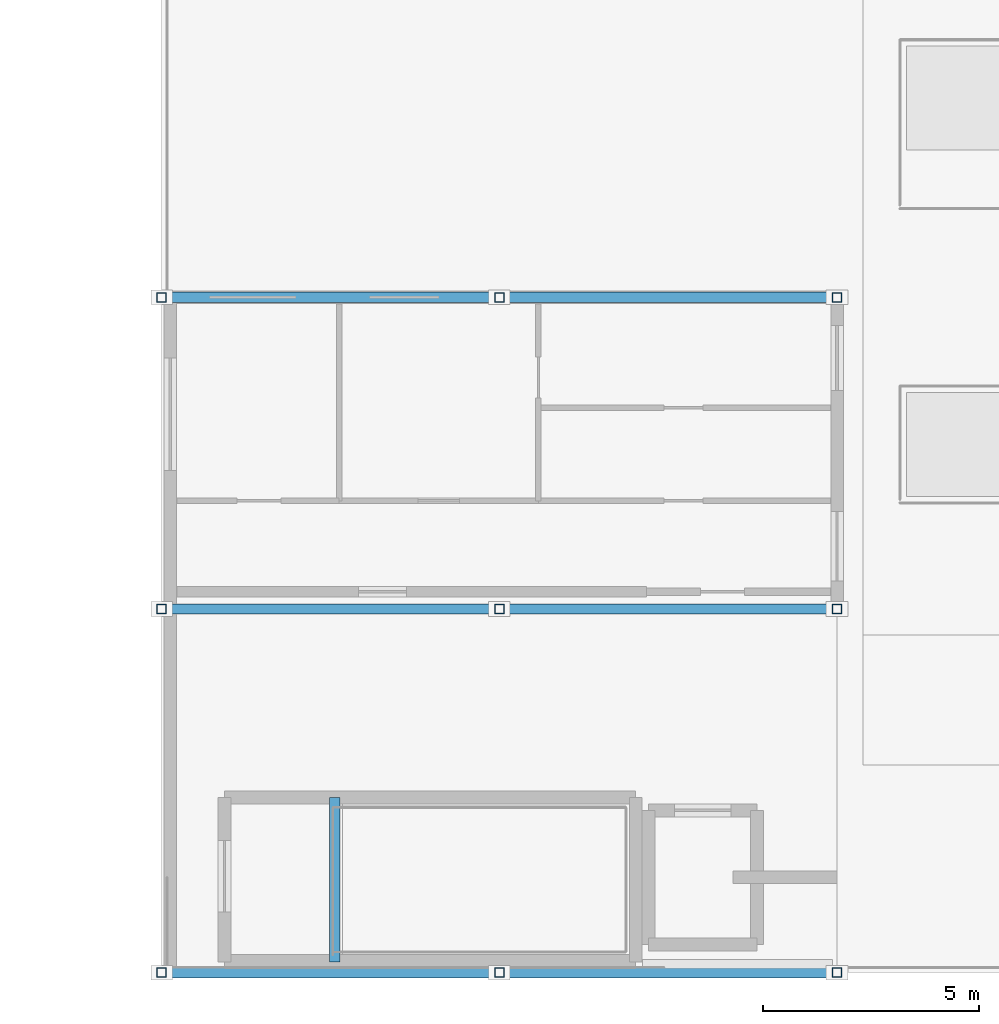
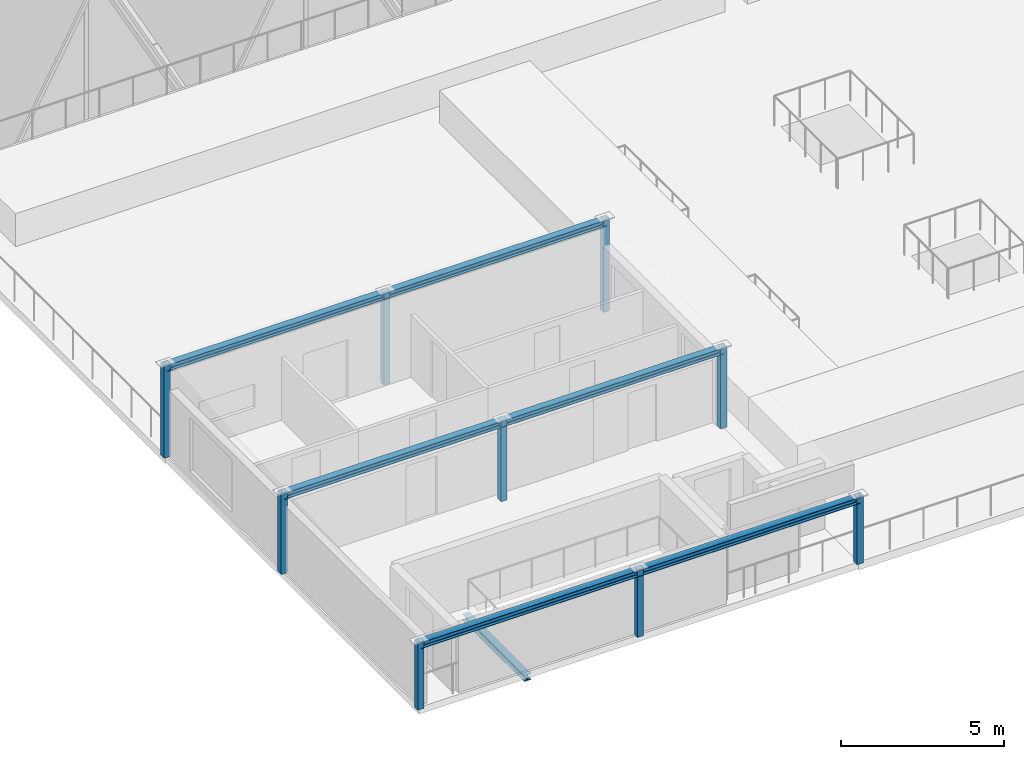
# One storey, part 1 of 39: 9 columns, 7 beams.
"""IFC4 building model written with IfcOpenShell, lengths in metres."""

from ifc_helpers import new_model, si_unit, direction, frame, origin, origin_2d, place, context, subcontext, project, spatial, hollow_rectangle, i_section, extrude, material, material_profile, profile_set, type_object, element, save


model = new_model("IFC4")

# Units and contexts
model_context = context("Model", 3, precision=1e-05, world=origin(), true_north=direction((0.0, 1.0)))
body_context = subcontext(model_context, "Body", "Model", "MODEL_VIEW")
ifc_project = project(units=[si_unit("LENGTHUNIT", "METRE"), si_unit("AREAUNIT", "SQUARE_METRE"), si_unit("VOLUMEUNIT", "CUBIC_METRE"), si_unit("PLANEANGLEUNIT", "RADIAN"), si_unit("MASSUNIT", "GRAM", prefix="KILO")], contexts=[model_context])

# Site, building, storey
site_placement = place(None, origin())
site = spatial("IfcSite", under=ifc_project, at=site_placement, CompositionType="ELEMENT")
building_placement = place(site_placement, origin())
building = spatial("IfcBuilding", under=site, at=building_placement, Name="Tizgana Railside Sports Hall", CompositionType="ELEMENT")
storey_placement = place(building_placement, frame((0.0, 0.0, 23.699951171875)))
storey = spatial("IfcBuildingStorey", under=building, at=storey_placement, Name="RF", CompositionType="ELEMENT", Elevation=23.699951171875)

# Columns
ifc_material = material(Name="Steel S355J2", Category="steel")
ifc_material_profile_1 = material_profile(ifc_material, hollow_rectangle(XDim=0.219970703125, YDim=0.219970703125, WallThickness=0.011962890625, at=origin_2d()), Name="SHS 220x220x12")
ifc_profile_set_1 = profile_set([ifc_material_profile_1], Name="Steel S355J2")
column_type = type_object("IfcColumnType", Name="Steel Column SHS 220x220x12", PredefinedType="COLUMN", material=ifc_profile_set_1)
column_1_placement = place(storey_placement, frame((7.800048828125, 0.0, 0.0), z_axis=(0.0, 0.0, 1.0), x_axis=(1.0, 0.0, 0.0)))
element("IfcColumn", 1, at=column_1_placement, inside=storey, type_object=column_type, Name="RF COL-0539", PredefinedType="COLUMN", context=body_context, shape_type="SweptSolid", body=[
    extrude(hollow_rectangle(XDim=0.219970703125, YDim=0.219970703125, WallThickness=0.011962890625, at=origin_2d()), origin(), (0.0, 0.0, 1.0), 2.530029296875),
])
column_2_placement = place(storey_placement, frame((7.800048828125, 8.39990234375, 0.0), z_axis=(0.0, 0.0, 1.0), x_axis=(1.0, 0.0, 0.0)))
element("IfcColumn", 2, at=column_2_placement, inside=storey, type_object=column_type, Name="RF COL-0546", PredefinedType="COLUMN", context=body_context, shape_type="SweptSolid", body=[
    extrude(hollow_rectangle(XDim=0.219970703125, YDim=0.219970703125, WallThickness=0.011962890625, at=origin_2d()), origin(), (0.0, 0.0, 1.0), 3.04150390625),
])
column_3_placement = place(storey_placement, frame((7.800048828125, 15.60009765625, 0.0), z_axis=(0.0, 0.0, 1.0), x_axis=(1.0, 0.0, 0.0)))
element("IfcColumn", 3, at=column_3_placement, inside=storey, type_object=column_type, Name="RF COL-0553", PredefinedType="COLUMN", context=body_context, shape_type="SweptSolid", body=[
    extrude(hollow_rectangle(XDim=0.219970703125, YDim=0.219970703125, WallThickness=0.011962890625, at=origin_2d()), origin(), (0.0, 0.0, 1.0), 3.47998046875),
])
column_4_placement = place(storey_placement, frame((15.60009765625, 0.0, 0.0), z_axis=(0.0, 0.0, 1.0), x_axis=(1.0, 0.0, 0.0)))
element("IfcColumn", 4, at=column_4_placement, inside=storey, type_object=column_type, Name="RF COL-0572", PredefinedType="COLUMN", context=body_context, shape_type="SweptSolid", body=[
    extrude(hollow_rectangle(XDim=0.219970703125, YDim=0.219970703125, WallThickness=0.011962890625, at=origin_2d()), origin(), (0.0, 0.0, 1.0), 2.530029296875),
])
column_5_placement = place(storey_placement, frame((15.60009765625, 8.39990234375, 0.0), z_axis=(0.0, 0.0, 1.0), x_axis=(1.0, 0.0, 0.0)))
element("IfcColumn", 5, at=column_5_placement, inside=storey, type_object=column_type, Name="RF COL-0579", PredefinedType="COLUMN", context=body_context, shape_type="SweptSolid", body=[
    extrude(hollow_rectangle(XDim=0.219970703125, YDim=0.219970703125, WallThickness=0.011962890625, at=origin_2d()), origin(), (0.0, 0.0, 1.0), 3.04150390625),
])
column_6_placement = place(storey_placement, frame((15.60009765625, 15.60009765625, 0.0), z_axis=(0.0, 0.0, 1.0), x_axis=(1.0, 0.0, 0.0)))
element("IfcColumn", 6, at=column_6_placement, inside=storey, type_object=column_type, Name="RF COL-0586", PredefinedType="COLUMN", context=body_context, shape_type="SweptSolid", body=[
    extrude(hollow_rectangle(XDim=0.219970703125, YDim=0.219970703125, WallThickness=0.011962890625, at=origin_2d()), origin(), (0.0, 0.0, 1.0), 3.47998046875),
])
column_7_placement = place(storey_placement, frame((23.39990234375, 0.0, 0.0), z_axis=(0.0, 0.0, 1.0), x_axis=(1.0, 0.0, 0.0)))
element("IfcColumn", 7, at=column_7_placement, inside=storey, type_object=column_type, Name="RF COL-0605", PredefinedType="COLUMN", context=body_context, shape_type="SweptSolid", body=[
    extrude(hollow_rectangle(XDim=0.219970703125, YDim=0.219970703125, WallThickness=0.011962890625, at=origin_2d()), origin(), (0.0, 0.0, 1.0), 2.530029296875),
])
column_8_placement = place(storey_placement, frame((23.39990234375, 8.39990234375, 0.0), z_axis=(0.0, 0.0, 1.0), x_axis=(1.0, 0.0, 0.0)))
element("IfcColumn", 8, at=column_8_placement, inside=storey, type_object=column_type, Name="RF COL-0612", PredefinedType="COLUMN", context=body_context, shape_type="SweptSolid", body=[
    extrude(hollow_rectangle(XDim=0.219970703125, YDim=0.219970703125, WallThickness=0.011962890625, at=origin_2d()), origin(), (0.0, 0.0, 1.0), 3.04150390625),
])
column_9_placement = place(storey_placement, frame((23.39990234375, 15.60009765625, 0.0), z_axis=(0.0, 0.0, 1.0), x_axis=(1.0, 0.0, 0.0)))
element("IfcColumn", 9, at=column_9_placement, inside=storey, type_object=column_type, Name="RF COL-0619", PredefinedType="COLUMN", context=body_context, shape_type="SweptSolid", body=[
    extrude(hollow_rectangle(XDim=0.219970703125, YDim=0.219970703125, WallThickness=0.011962890625, at=origin_2d()), origin(), (0.0, 0.0, 1.0), 3.47998046875),
])

# Beams
ifc_material_profile_2 = material_profile(ifc_material, i_section(OverallWidth=0.239990234375, OverallDepth=0.239990234375, WebThickness=0.010009765625, FlangeThickness=0.01708984375, FilletRadius=0.02099609375, at=origin_2d()), Name="HEB 240")
ifc_profile_set_2 = profile_set([ifc_material_profile_2], Name="Steel S355J2")
beam_type = type_object("IfcBeamType", Name="Steel Beam HEB 240", PredefinedType="BEAM", material=ifc_profile_set_2)
beam_1_placement = place(storey_placement, frame((7.800048828125, 0.0, 2.39013671875), z_axis=(1.0, 0.0, 0.0), x_axis=(0.0, 1.0, 0.0)))
element("IfcBeam", 10, at=beam_1_placement, inside=storey, type_object=beam_type, Name="RF RFB-0001", PredefinedType="BEAM", context=body_context, shape_type="SweptSolid", body=[
    extrude(i_section(OverallWidth=0.239990234375, OverallDepth=0.239990234375, WebThickness=0.010009765625, FlangeThickness=0.01708984375, FilletRadius=0.02099609375, at=origin_2d()), origin(), (0.0, 0.0, 1.0), 7.800048828125),
])
beam_2_placement = place(storey_placement, frame((15.60009765625, 0.0, 2.39013671875), z_axis=(1.0, 0.0, 0.0), x_axis=(0.0, 1.0, 0.0)))
element("IfcBeam", 11, at=beam_2_placement, inside=storey, type_object=beam_type, Name="RF RFB-0002", PredefinedType="BEAM", context=body_context, shape_type="SweptSolid", body=[
    extrude(i_section(OverallWidth=0.239990234375, OverallDepth=0.239990234375, WebThickness=0.010009765625, FlangeThickness=0.01708984375, FilletRadius=0.02099609375, at=origin_2d()), origin(), (0.0, 0.0, 1.0), 7.7998046875),
])
beam_3_placement = place(storey_placement, frame((7.800048828125, 8.39990234375, 2.901611328125), z_axis=(1.0, 0.0, 0.0), x_axis=(0.0, 1.0, 0.0)))
element("IfcBeam", 12, at=beam_3_placement, inside=storey, type_object=beam_type, Name="RF RFB-0003", PredefinedType="BEAM", context=body_context, shape_type="SweptSolid", body=[
    extrude(i_section(OverallWidth=0.239990234375, OverallDepth=0.239990234375, WebThickness=0.010009765625, FlangeThickness=0.01708984375, FilletRadius=0.02099609375, at=origin_2d()), origin(), (0.0, 0.0, 1.0), 7.800048828125),
])
beam_4_placement = place(storey_placement, frame((15.60009765625, 8.39990234375, 2.901611328125), z_axis=(1.0, 0.0, 0.0), x_axis=(0.0, 1.0, 0.0)))
element("IfcBeam", 13, at=beam_4_placement, inside=storey, type_object=beam_type, Name="RF RFB-0004", PredefinedType="BEAM", context=body_context, shape_type="SweptSolid", body=[
    extrude(i_section(OverallWidth=0.239990234375, OverallDepth=0.239990234375, WebThickness=0.010009765625, FlangeThickness=0.01708984375, FilletRadius=0.02099609375, at=origin_2d()), origin(), (0.0, 0.0, 1.0), 7.7998046875),
])
beam_5_placement = place(storey_placement, frame((7.800048828125, 15.60009765625, 3.340087890625), z_axis=(1.0, 0.0, 0.0), x_axis=(0.0, 1.0, 0.0)))
element("IfcBeam", 14, at=beam_5_placement, inside=storey, type_object=beam_type, Name="RF RFB-0005", PredefinedType="BEAM", context=body_context, shape_type="SweptSolid", body=[
    extrude(i_section(OverallWidth=0.239990234375, OverallDepth=0.239990234375, WebThickness=0.010009765625, FlangeThickness=0.01708984375, FilletRadius=0.02099609375, at=origin_2d()), origin(), (0.0, 0.0, 1.0), 7.800048828125),
])
beam_6_placement = place(storey_placement, frame((15.60009765625, 15.60009765625, 3.340087890625), z_axis=(1.0, 0.0, 0.0), x_axis=(0.0, 1.0, 0.0)))
element("IfcBeam", 15, at=beam_6_placement, inside=storey, type_object=beam_type, Name="RF RFB-0006", PredefinedType="BEAM", context=body_context, shape_type="SweptSolid", body=[
    extrude(i_section(OverallWidth=0.239990234375, OverallDepth=0.239990234375, WebThickness=0.010009765625, FlangeThickness=0.01708984375, FilletRadius=0.02099609375, at=origin_2d()), origin(), (0.0, 0.0, 1.0), 7.7998046875),
])
beam_7_placement = place(storey_placement, frame((11.800048828125, 0.25, -0.421875), z_axis=(0.0, 1.0, 0.0), x_axis=(-1.0, 0.0, 0.0)))
element("IfcBeam", 16, at=beam_7_placement, inside=storey, type_object=beam_type, Name="RF C1 Landing Header", PredefinedType="BEAM", context=body_context, shape_type="SweptSolid", body=[
    extrude(i_section(OverallWidth=0.239990234375, OverallDepth=0.239990234375, WebThickness=0.010009765625, FlangeThickness=0.01708984375, FilletRadius=0.02099609375, at=origin_2d()), origin(), (0.0, 0.0, 1.0), 3.800048828125),
])

save(model, "model.ifc")
